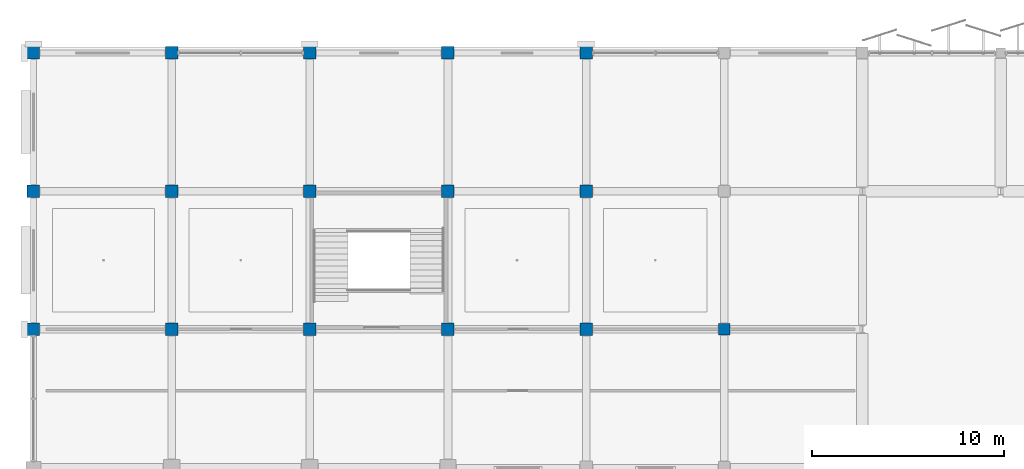
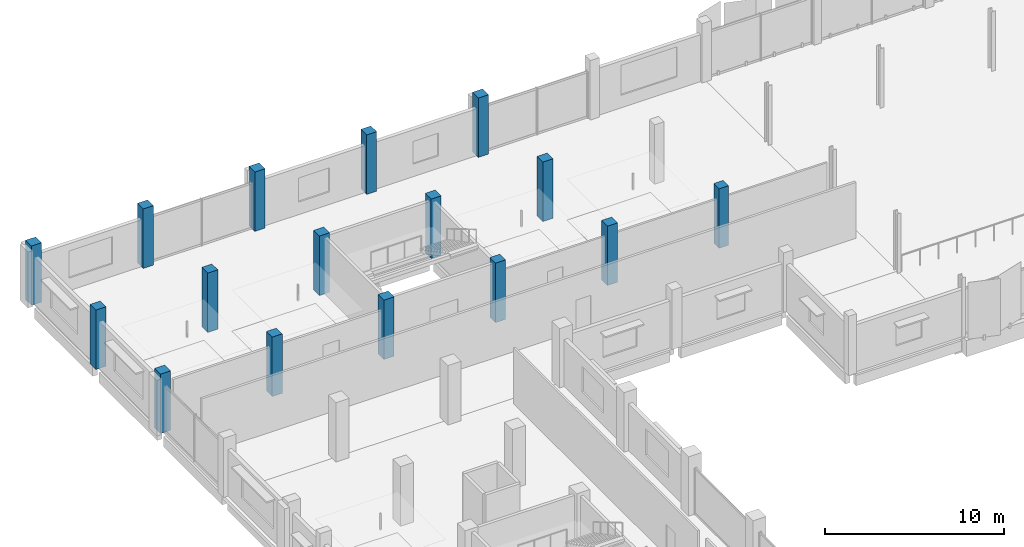
# One storey, part 7 of 107: 16 columns.
"""IFC4 building model written with IfcOpenShell, lengths in metres."""

from ifc_helpers import new_model, si_unit, direction, frame, origin, origin_2d, place, context, subcontext, project, spatial, rectangle, extrude, material, material_profile, profile_set, type_object, element, save


model = new_model("IFC4")

# Units and contexts
model_context = context("Model", 3, precision=1e-05, world=origin(), true_north=direction((0.0, 1.0)))
body_context = subcontext(model_context, "Body", "Model", "MODEL_VIEW")
ifc_project = project(units=[si_unit("LENGTHUNIT", "METRE"), si_unit("AREAUNIT", "SQUARE_METRE"), si_unit("VOLUMEUNIT", "CUBIC_METRE"), si_unit("PLANEANGLEUNIT", "RADIAN"), si_unit("MASSUNIT", "GRAM", prefix="KILO")], contexts=[model_context])

# Site, building, storey
site_placement = place(None, origin())
site = spatial("IfcSite", under=ifc_project, at=site_placement, CompositionType="ELEMENT")
building_placement = place(site_placement, origin())
building = spatial("IfcBuilding", under=site, at=building_placement, Name="Kangsadwip Square Police Headquarters", CompositionType="ELEMENT")
storey_placement = place(building_placement, frame((0.0, 0.0, 5.39990234375)))
storey = spatial("IfcBuildingStorey", under=building, at=storey_placement, Name="L01", CompositionType="ELEMENT", Elevation=5.39990234375)

# Columns
ifc_material_1 = material(Name="Concrete M35 (35 MPa)", Category="concrete")
ifc_material_profile_1 = material_profile(ifc_material_1, rectangle(XDim=0.60009765625, YDim=0.60009765625, at=origin_2d()), Name="RC COL 600X600")
ifc_profile_set_1 = profile_set([ifc_material_profile_1], Name="Concrete M35 (35 MPa)")
column_type_1 = type_object("IfcColumnType", Name="RcCol600x600", PredefinedType="COLUMN", material=ifc_profile_set_1)
column_placement = place(storey_placement, frame((36.0, 100.800048828125, 0.0), z_axis=(0.0, 0.0, 1.0), x_axis=(1.0, 0.0, 0.0)))
element("IfcColumn", 1, at=column_placement, inside=storey, type_object=column_type_1, Name="Column COL-L01-05-14", PredefinedType="COLUMN", context=body_context, shape_type="SweptSolid", body=[
    extrude(rectangle(XDim=0.60009765625, YDim=0.60009765625, at=origin_2d()), origin(), (0.0, 0.0, 1.0), 4.050048828125),
])
ifc_material_2 = material(Name="Concrete M40 (40 MPa)", Category="concrete")
ifc_material_profile_2 = material_profile(ifc_material_2, rectangle(XDim=0.64990234375, YDim=0.64990234375, at=origin_2d()), Name="RC COL 650X650")
ifc_profile_set_2 = profile_set([ifc_material_profile_2], Name="Concrete M40 (40 MPa)")
column_type_2 = type_object("IfcColumnType", Name="RcCol650x650", PredefinedType="COLUMN", material=ifc_profile_set_2)
for number, where, z_axis, x_axis, name in (
    (2, (0.0, 100.800048828125, 0.0), (0.0, 0.0, 1.0), (1.0, 0.0, 0.0), "Column COL-L01-00-14"),
    (3, (0.0, 108.0, 0.0), (0.0, 0.0, 1.0), (1.0, 0.0, 0.0), "Column COL-L01-00-15"),
    (4, (0.0, 115.199951171875, 0.0), (0.0, 0.0, 1.0), (1.0, 0.0, 0.0), "Column COL-L01-00-16"),
    (5, (7.199951171875, 100.800048828125, 0.0), (0.0, 0.0, 1.0), (1.0, 0.0, 0.0), "Column COL-L01-01-14"),
    (6, (7.199951171875, 108.0, 0.0), (0.0, 0.0, 1.0), (1.0, 0.0, 0.0), "Column COL-L01-01-15"),
    (7, (7.199951171875, 115.199951171875, 0.0), (0.0, 0.0, 1.0), (1.0, 0.0, 0.0), "Column COL-L01-01-16"),
    (8, (14.39990234375, 100.800048828125, 0.0), (0.0, 0.0, 1.0), (1.0, 0.0, 0.0), "Column COL-L01-02-14"),
    (9, (14.39990234375, 108.0, 0.0), (0.0, 0.0, 1.0), (1.0, 0.0, 0.0), "Column COL-L01-02-15"),
    (10, (14.39990234375, 115.199951171875, 0.0), (0.0, 0.0, 1.0), (1.0, 0.0, 0.0), "Column COL-L01-02-16"),
    (11, (21.60009765625, 100.800048828125, 0.0), (0.0, 0.0, 1.0), (1.0, 0.0, 0.0), "Column COL-L01-03-14"),
    (12, (21.60009765625, 108.0, 0.0), (0.0, 0.0, 1.0), (1.0, 0.0, 0.0), "Column COL-L01-03-15"),
    (13, (21.60009765625, 115.199951171875, 0.0), (0.0, 0.0, 1.0), (1.0, 0.0, 0.0), "Column COL-L01-03-16"),
    (14, (28.800048828125, 100.800048828125, 0.0), (0.0, 0.0, 1.0), (1.0, 0.0, 0.0), "Column COL-L01-04-14"),
    (15, (28.800048828125, 108.0, 0.0), (0.0, 0.0, 1.0), (1.0, 0.0, 0.0), "Column COL-L01-04-15"),
    (16, (28.800048828125, 115.199951171875, 0.0), (0.0, 0.0, 1.0), (1.0, 0.0, 0.0), "Column COL-L01-04-16"),
):
    element("IfcColumn", number, at=place(storey_placement, frame(where, z_axis=z_axis, x_axis=x_axis)), inside=storey, type_object=column_type_2, Name=name, PredefinedType="COLUMN", context=body_context, shape_type="SweptSolid", body=[
        extrude(rectangle(XDim=0.64990234375, YDim=0.64990234375, at=origin_2d()), origin(), (0.0, 0.0, 1.0), 4.050048828125),
    ])

save(model, "model.ifc")
